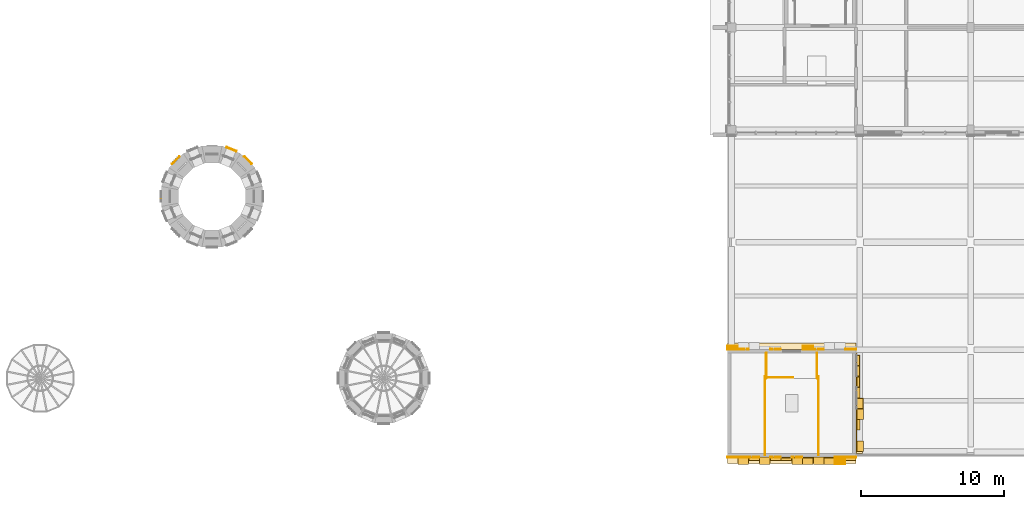
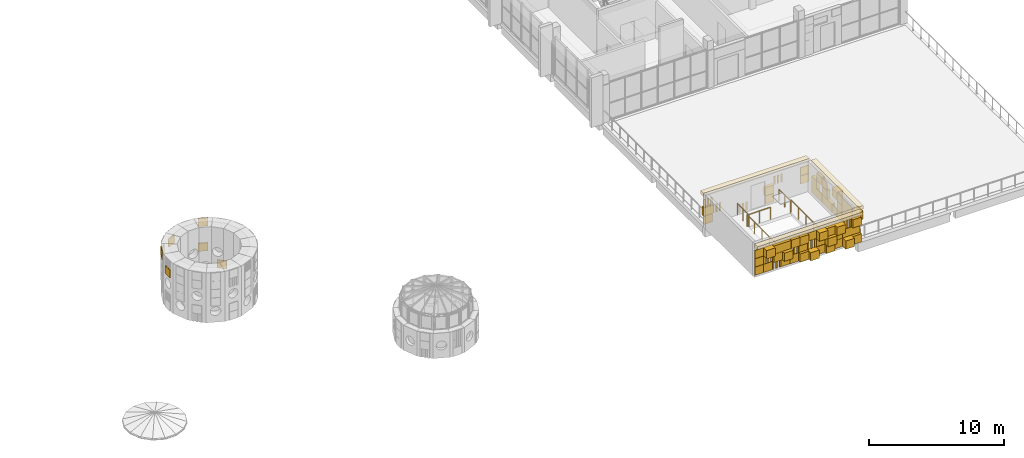
# One storey, part 37 of 42: 17 coverings, 5 railings.
"""IFC4 building model written with IfcOpenShell, lengths in metres."""

from ifc_helpers import new_model, si_unit, direction, frame, origin, origin_2d, place, context, subcontext, project, spatial, rectangle, circle, extrude, material, layer, layer_set, type_object, element, save


model = new_model("IFC4")

# Units and contexts
model_context = context("Model", 3, precision=1e-05, world=origin(), true_north=direction((0.0, 1.0)))
body_context = subcontext(model_context, "Body", "Model", "MODEL_VIEW")
ifc_project = project(units=[si_unit("LENGTHUNIT", "METRE"), si_unit("AREAUNIT", "SQUARE_METRE"), si_unit("VOLUMEUNIT", "CUBIC_METRE"), si_unit("PLANEANGLEUNIT", "RADIAN"), si_unit("MASSUNIT", "GRAM", prefix="KILO")], contexts=[model_context])

# Site, building, storey
site_placement = place(None, origin())
site = spatial("IfcSite", under=ifc_project, at=site_placement, CompositionType="ELEMENT")
building_placement = place(site_placement, origin())
building = spatial("IfcBuilding", under=site, at=building_placement, Name="Sun Court Science Centre", CompositionType="ELEMENT")
storey_placement = place(building_placement, frame((0.0, 0.0, 20.25)))
storey = spatial("IfcBuildingStorey", under=building, at=storey_placement, Name="L04", CompositionType="ELEMENT", Elevation=20.25)

# Railings
ifc_material_1 = material(Name="Steel S275", Category="steel")
railing_type = type_object("IfcRailingType", Name="Guard 1100 steel balustrade", PredefinedType="GUARDRAIL", material=ifc_material_1)
railing_placement = place(storey_placement, frame((80.677001953125, 11.552001953125, 0.0)))
element("IfcRailing", 1, at=railing_placement, inside=storey, type_object=railing_type, Name="L04 SL1 top well guard 1", PredefinedType="GUARDRAIL", context=body_context, shape_type="SweptSolid", body=[
    extrude(circle(Radius=0.02392578125, at=origin_2d()), frame((0.0, 0.0, 1.076171875), z_axis=(1.0, 0.0, 0.0), x_axis=(0.0, 1.0, 0.0)), (0.0, 0.0, 1.0), 1.89794921875),
    extrude(circle(Radius=0.02099609375, at=origin_2d()), origin(), (0.0, 0.0, 1.0), 1.052001953125),
    extrude(circle(Radius=0.02099609375, at=origin_2d()), frame((0.948974609375, 0.0, 0.0)), (0.0, 0.0, 1.0), 1.052001953125),
    extrude(circle(Radius=0.02099609375, at=origin_2d()), frame((1.89794921875, 0.0, 0.0)), (0.0, 0.0, 1.0), 1.052001953125),
])
for number, where, name in (
    (2, (80.626953125, 11.60205078125, 0.0), "L04 SL1 top well guard 2"),
    (3, (84.373046875, 11.60205078125, 0.0), "L04 SL1 top well guard 3"),
):
    element("IfcRailing", number, at=place(storey_placement, frame(where)), inside=storey, type_object=railing_type, Name=name, PredefinedType="GUARDRAIL", context=body_context, shape_type="SweptSolid", body=[
        extrude(circle(Radius=0.02392578125, at=origin_2d()), frame((0.0, 0.0, 1.076171875), z_axis=(0.0, -1.0, 0.0), x_axis=(1.0, 0.0, 0.0)), (0.0, 0.0, 1.0), 5.4521484375),
        extrude(circle(Radius=0.02099609375, at=origin_2d()), origin(), (0.0, 0.0, 1.0), 1.052001953125),
        extrude(circle(Radius=0.02099609375, at=origin_2d()), frame((0.0, -1.09033203125, 0.0)), (0.0, 0.0, 1.0), 1.052001953125),
        extrude(circle(Radius=0.02099609375, at=origin_2d()), frame((0.0, -2.180908203125, 0.0)), (0.0, 0.0, 1.0), 1.052001953125),
        extrude(circle(Radius=0.02099609375, at=origin_2d()), frame((0.0, -3.271240234375, 0.0)), (0.0, 0.0, 1.0), 1.052001953125),
        extrude(circle(Radius=0.02099609375, at=origin_2d()), frame((0.0, -4.36181640625, 0.0)), (0.0, 0.0, 1.0), 1.052001953125),
        extrude(circle(Radius=0.02099609375, at=origin_2d()), frame((0.0, -5.4521484375, 0.0)), (0.0, 0.0, 1.0), 1.052001953125),
    ])
for number, where, name in (
    (4, (80.72705078125, 13.25, 0.0), "L04 SL1 top well guard 4"),
    (5, (84.27294921875, 13.25, 0.0), "L04 SL1 top well guard 5"),
):
    element("IfcRailing", number, at=place(storey_placement, frame(where)), inside=storey, type_object=railing_type, Name=name, PredefinedType="GUARDRAIL", context=body_context, shape_type="SweptSolid", body=[
        extrude(circle(Radius=0.02392578125, at=origin_2d()), frame((0.0, 0.0, 1.076171875), z_axis=(0.0, -1.0, 0.0), x_axis=(1.0, 0.0, 0.0)), (0.0, 0.0, 1.0), 1.748046875),
        extrude(circle(Radius=0.02099609375, at=origin_2d()), origin(), (0.0, 0.0, 1.0), 1.052001953125),
        extrude(circle(Radius=0.02099609375, at=origin_2d()), frame((0.0, -0.8740234375, 0.0)), (0.0, 0.0, 1.0), 1.052001953125),
        extrude(circle(Radius=0.02099609375, at=origin_2d()), frame((0.0, -1.748046875, 0.0)), (0.0, 0.0, 1.0), 1.052001953125),
    ])

# Coverings
ifc_material_2 = material(Name="Terracotta panel", Category="masonry")
ifc_layer_1 = layer(ifc_material_2, 0.449951171875)
ifc_layer_set_1 = layer_set([ifc_layer_1], Name="Terracotta panel")
covering_type_1 = type_object("IfcCoveringType", Name="Terracotta cornice 450", PredefinedType="CLADDING", material=ifc_layer_set_1)
covering_1_placement = place(storey_placement, frame((0.0, 0.0, -20.25)))
element("IfcCovering", 6, at=covering_1_placement, inside=storey, type_object=covering_type_1, Name="Terracotta cornice east face of core L04", PredefinedType="CLADDING", context=body_context, shape_type="SweptSolid", body=[
    extrude(rectangle(XDim=7.0, YDim=0.449951171875, at=origin_2d()), frame((87.22509765625, 9.75, 22.7001953125), z_axis=(0.0, 0.0, 1.0), x_axis=(0.0, -1.0, 0.0)), (0.0, 0.0, 1.0), 0.300048828125),
])
covering_2_placement = place(storey_placement, frame((0.0, 0.0, -20.25)))
element("IfcCovering", 7, at=covering_2_placement, inside=storey, type_object=covering_type_1, Name="Terracotta cornice north face of core L04", PredefinedType="CLADDING", context=body_context, shape_type="SweptSolid", body=[
    extrude(rectangle(XDim=9.0, YDim=0.449951171875, at=origin_2d()), frame((82.5, 13.72509765625, 22.7001953125), z_axis=(0.0, 0.0, 1.0), x_axis=(1.0, 0.0, 0.0)), (0.0, 0.0, 1.0), 0.300048828125),
])
covering_3_placement = place(storey_placement, frame((0.0, 0.0, -20.25)))
element("IfcCovering", 8, at=covering_3_placement, inside=storey, type_object=covering_type_1, Name="Terracotta cornice south face of core L04", PredefinedType="CLADDING", context=body_context, shape_type="SweptSolid", body=[
    extrude(rectangle(XDim=9.0, YDim=0.449951171875, at=origin_2d()), frame((82.5, 5.77490234375, 22.7001953125), z_axis=(0.0, 0.0, 1.0), x_axis=(-1.0, 0.0, 0.0)), (0.0, 0.0, 1.0), 0.300048828125),
])
ifc_material_3 = material(Name="Terracotta jali", Category="masonry")
ifc_layer_2 = layer(ifc_material_3, 0.06005859375)
ifc_layer_set_2 = layer_set([ifc_layer_2], Name="Terracotta jali")
covering_type_2 = type_object("IfcCoveringType", Name="Terracotta open jali panel", PredefinedType="CLADDING", material=ifc_layer_set_2)
covering_4_placement = place(storey_placement, frame((0.0, 0.0, -20.25)))
element("IfcCovering", 9, at=covering_4_placement, inside=storey, type_object=covering_type_2, Name="Open jali pixel cladding north face of core L04", PredefinedType="CLADDING", context=body_context, shape_type="SweptSolid", body=[
    extrude(rectangle(XDim=0.139892578125, YDim=0.06005859375, at=origin_2d()), frame((81.074951171875, 13.530029296875, 20.18017578125), z_axis=(0.0, 0.0, 1.0), x_axis=(1.0, 0.0, 0.0)), (0.0, 0.0, 1.0), 0.739990234375),
    extrude(rectangle(XDim=0.139892578125, YDim=0.06005859375, at=origin_2d()), frame((81.375, 13.530029296875, 20.18017578125), z_axis=(0.0, 0.0, 1.0), x_axis=(1.0, 0.0, 0.0)), (0.0, 0.0, 1.0), 0.739990234375),
    extrude(rectangle(XDim=0.139892578125, YDim=0.06005859375, at=origin_2d()), frame((81.675048828125, 13.530029296875, 20.18017578125), z_axis=(0.0, 0.0, 1.0), x_axis=(1.0, 0.0, 0.0)), (0.0, 0.0, 1.0), 0.739990234375),
    extrude(rectangle(XDim=0.139892578125, YDim=0.06005859375, at=origin_2d()), frame((78.824951171875, 13.530029296875, 20.93017578125), z_axis=(0.0, 0.0, 1.0), x_axis=(1.0, 0.0, 0.0)), (0.0, 0.0, 1.0), 0.739990234375),
    extrude(rectangle(XDim=0.139892578125, YDim=0.06005859375, at=origin_2d()), frame((79.125, 13.530029296875, 20.93017578125), z_axis=(0.0, 0.0, 1.0), x_axis=(1.0, 0.0, 0.0)), (0.0, 0.0, 1.0), 0.739990234375),
    extrude(rectangle(XDim=0.139892578125, YDim=0.06005859375, at=origin_2d()), frame((79.425048828125, 13.530029296875, 20.93017578125), z_axis=(0.0, 0.0, 1.0), x_axis=(1.0, 0.0, 0.0)), (0.0, 0.0, 1.0), 0.739990234375),
    extrude(rectangle(XDim=0.139892578125, YDim=0.06005859375, at=origin_2d()), frame((78.074951171875, 13.530029296875, 21.68017578125), z_axis=(0.0, 0.0, 1.0), x_axis=(1.0, 0.0, 0.0)), (0.0, 0.0, 1.0), 0.739990234375),
    extrude(rectangle(XDim=0.139892578125, YDim=0.06005859375, at=origin_2d()), frame((78.375, 13.530029296875, 21.68017578125), z_axis=(0.0, 0.0, 1.0), x_axis=(1.0, 0.0, 0.0)), (0.0, 0.0, 1.0), 0.739990234375),
    extrude(rectangle(XDim=0.139892578125, YDim=0.06005859375, at=origin_2d()), frame((78.675048828125, 13.530029296875, 21.68017578125), z_axis=(0.0, 0.0, 1.0), x_axis=(1.0, 0.0, 0.0)), (0.0, 0.0, 1.0), 0.739990234375),
    extrude(rectangle(XDim=0.139892578125, YDim=0.06005859375, at=origin_2d()), frame((84.074951171875, 13.530029296875, 21.68017578125), z_axis=(0.0, 0.0, 1.0), x_axis=(1.0, 0.0, 0.0)), (0.0, 0.0, 1.0), 0.739990234375),
    extrude(rectangle(XDim=0.139892578125, YDim=0.06005859375, at=origin_2d()), frame((84.375, 13.530029296875, 21.68017578125), z_axis=(0.0, 0.0, 1.0), x_axis=(1.0, 0.0, 0.0)), (0.0, 0.0, 1.0), 0.739990234375),
    extrude(rectangle(XDim=0.139892578125, YDim=0.06005859375, at=origin_2d()), frame((84.675048828125, 13.530029296875, 21.68017578125), z_axis=(0.0, 0.0, 1.0), x_axis=(1.0, 0.0, 0.0)), (0.0, 0.0, 1.0), 0.739990234375),
    extrude(rectangle(XDim=0.739990234375, YDim=0.260009765625, at=origin_2d()), frame((78.375, 13.6298828125, 20.93017578125), z_axis=(0.0, 0.0, 1.0), x_axis=(1.0, 0.0, 0.0)), (0.0, 0.0, 1.0), 0.739990234375),
    extrude(rectangle(XDim=0.739990234375, YDim=0.06005859375, at=origin_2d()), frame((78.375, 13.530029296875, 20.18017578125), z_axis=(0.0, 0.0, 1.0), x_axis=(1.0, 0.0, 0.0)), (0.0, 0.0, 1.0), 0.739990234375),
])
covering_5_placement = place(storey_placement, frame((0.0, 0.0, -20.25)))
element("IfcCovering", 10, at=covering_5_placement, inside=storey, type_object=covering_type_2, Name="Open jali pixel cladding south face of core L04", PredefinedType="CLADDING", context=body_context, shape_type="SweptSolid", body=[
    extrude(rectangle(XDim=0.139892578125, YDim=0.06005859375, at=origin_2d()), frame((80.175048828125, 5.969970703125, 20.18017578125), z_axis=(0.0, 0.0, 1.0), x_axis=(-1.0, 0.0, 0.0)), (0.0, 0.0, 1.0), 0.739990234375),
    extrude(rectangle(XDim=0.139892578125, YDim=0.06005859375, at=origin_2d()), frame((79.875, 5.969970703125, 20.18017578125), z_axis=(0.0, 0.0, 1.0), x_axis=(-1.0, 0.0, 0.0)), (0.0, 0.0, 1.0), 0.739990234375),
    extrude(rectangle(XDim=0.139892578125, YDim=0.06005859375, at=origin_2d()), frame((79.574951171875, 5.969970703125, 20.18017578125), z_axis=(0.0, 0.0, 1.0), x_axis=(-1.0, 0.0, 0.0)), (0.0, 0.0, 1.0), 0.739990234375),
    extrude(rectangle(XDim=0.139892578125, YDim=0.06005859375, at=origin_2d()), frame((83.175048828125, 5.969970703125, 20.93017578125), z_axis=(0.0, 0.0, 1.0), x_axis=(-1.0, 0.0, 0.0)), (0.0, 0.0, 1.0), 0.739990234375),
    extrude(rectangle(XDim=0.139892578125, YDim=0.06005859375, at=origin_2d()), frame((82.875, 5.969970703125, 20.93017578125), z_axis=(0.0, 0.0, 1.0), x_axis=(-1.0, 0.0, 0.0)), (0.0, 0.0, 1.0), 0.739990234375),
    extrude(rectangle(XDim=0.139892578125, YDim=0.06005859375, at=origin_2d()), frame((82.574951171875, 5.969970703125, 20.93017578125), z_axis=(0.0, 0.0, 1.0), x_axis=(-1.0, 0.0, 0.0)), (0.0, 0.0, 1.0), 0.739990234375),
    extrude(rectangle(XDim=0.139892578125, YDim=0.06005859375, at=origin_2d()), frame((81.675048828125, 5.969970703125, 20.93017578125), z_axis=(0.0, 0.0, 1.0), x_axis=(-1.0, 0.0, 0.0)), (0.0, 0.0, 1.0), 0.739990234375),
    extrude(rectangle(XDim=0.139892578125, YDim=0.06005859375, at=origin_2d()), frame((81.375, 5.969970703125, 20.93017578125), z_axis=(0.0, 0.0, 1.0), x_axis=(-1.0, 0.0, 0.0)), (0.0, 0.0, 1.0), 0.739990234375),
    extrude(rectangle(XDim=0.139892578125, YDim=0.06005859375, at=origin_2d()), frame((81.074951171875, 5.969970703125, 20.93017578125), z_axis=(0.0, 0.0, 1.0), x_axis=(-1.0, 0.0, 0.0)), (0.0, 0.0, 1.0), 0.739990234375),
    extrude(rectangle(XDim=0.139892578125, YDim=0.06005859375, at=origin_2d()), frame((79.425048828125, 5.969970703125, 20.93017578125), z_axis=(0.0, 0.0, 1.0), x_axis=(-1.0, 0.0, 0.0)), (0.0, 0.0, 1.0), 0.739990234375),
    extrude(rectangle(XDim=0.139892578125, YDim=0.06005859375, at=origin_2d()), frame((79.125, 5.969970703125, 20.93017578125), z_axis=(0.0, 0.0, 1.0), x_axis=(-1.0, 0.0, 0.0)), (0.0, 0.0, 1.0), 0.739990234375),
    extrude(rectangle(XDim=0.139892578125, YDim=0.06005859375, at=origin_2d()), frame((78.824951171875, 5.969970703125, 20.93017578125), z_axis=(0.0, 0.0, 1.0), x_axis=(-1.0, 0.0, 0.0)), (0.0, 0.0, 1.0), 0.739990234375),
    extrude(rectangle(XDim=0.139892578125, YDim=0.06005859375, at=origin_2d()), frame((86.175048828125, 5.969970703125, 21.68017578125), z_axis=(0.0, 0.0, 1.0), x_axis=(-1.0, 0.0, 0.0)), (0.0, 0.0, 1.0), 0.739990234375),
    extrude(rectangle(XDim=0.139892578125, YDim=0.06005859375, at=origin_2d()), frame((85.875, 5.969970703125, 21.68017578125), z_axis=(0.0, 0.0, 1.0), x_axis=(-1.0, 0.0, 0.0)), (0.0, 0.0, 1.0), 0.739990234375),
    extrude(rectangle(XDim=0.139892578125, YDim=0.06005859375, at=origin_2d()), frame((85.574951171875, 5.969970703125, 21.68017578125), z_axis=(0.0, 0.0, 1.0), x_axis=(-1.0, 0.0, 0.0)), (0.0, 0.0, 1.0), 0.739990234375),
    extrude(rectangle(XDim=0.739990234375, YDim=0.510009765625, at=origin_2d()), frame((85.875, 5.7451171875, 20.18017578125), z_axis=(0.0, 0.0, 1.0), x_axis=(-1.0, 0.0, 0.0)), (0.0, 0.0, 1.0), 0.739990234375),
])
ifc_material_4 = material(Name="Terracotta shade 1", Category="masonry")
ifc_layer_3 = layer(ifc_material_4, 0.06005859375)
ifc_layer_set_3 = layer_set([ifc_layer_3], Name="Terracotta shade 1")
covering_type_3 = type_object("IfcCoveringType", Name="Terracotta pixel panel shade 1", PredefinedType="CLADDING", material=ifc_layer_set_3)
covering_6_placement = place(storey_placement, frame((0.0, 0.0, -20.25)))
element("IfcCovering", 11, at=covering_6_placement, inside=storey, type_object=covering_type_3, Name="Terracotta pixel cladding shade 1 east face of core L04", PredefinedType="CLADDING", context=body_context, shape_type="SweptSolid", body=[
    extrude(rectangle(XDim=0.739990234375, YDim=0.06005859375, at=origin_2d()), frame((87.030029296875, 9.75, 20.18017578125), z_axis=(0.0, 0.0, 1.0), x_axis=(0.0, -1.0, 0.0)), (0.0, 0.0, 1.0), 0.739990234375),
    extrude(rectangle(XDim=0.739990234375, YDim=0.260009765625, at=origin_2d()), frame((87.1298828125, 8.25, 20.18017578125), z_axis=(0.0, 0.0, 1.0), x_axis=(0.0, -1.0, 0.0)), (0.0, 0.0, 1.0), 0.739990234375),
    extrude(rectangle(XDim=0.739990234375, YDim=0.06005859375, at=origin_2d()), frame((87.030029296875, 8.25, 20.93017578125), z_axis=(0.0, 0.0, 1.0), x_axis=(0.0, -1.0, 0.0)), (0.0, 0.0, 1.0), 0.739990234375),
    extrude(rectangle(XDim=0.739990234375, YDim=0.06005859375, at=origin_2d()), frame((87.030029296875, 7.5, 20.93017578125), z_axis=(0.0, 0.0, 1.0), x_axis=(0.0, -1.0, 0.0)), (0.0, 0.0, 1.0), 0.739990234375),
    extrude(rectangle(XDim=0.739990234375, YDim=0.06005859375, at=origin_2d()), frame((87.030029296875, 8.25, 21.68017578125), z_axis=(0.0, 0.0, 1.0), x_axis=(0.0, -1.0, 0.0)), (0.0, 0.0, 1.0), 0.739990234375),
    extrude(rectangle(XDim=0.739990234375, YDim=0.06005859375, at=origin_2d()), frame((87.030029296875, 7.5, 21.68017578125), z_axis=(0.0, 0.0, 1.0), x_axis=(0.0, -1.0, 0.0)), (0.0, 0.0, 1.0), 0.739990234375),
    extrude(rectangle(XDim=0.739990234375, YDim=0.510009765625, at=origin_2d()), frame((87.2548828125, 6.75, 21.68017578125), z_axis=(0.0, 0.0, 1.0), x_axis=(0.0, -1.0, 0.0)), (0.0, 0.0, 1.0), 0.739990234375),
    extrude(rectangle(XDim=0.739990234375, YDim=0.260009765625, at=origin_2d()), frame((87.1298828125, 6.75, 20.18017578125), z_axis=(0.0, 0.0, 1.0), x_axis=(0.0, -1.0, 0.0)), (0.0, 0.0, 1.0), 0.739990234375),
])
covering_7_placement = place(storey_placement, frame((0.0, 0.0, -20.25)))
element("IfcCovering", 12, at=covering_7_placement, inside=storey, type_object=covering_type_3, Name="Terracotta pixel cladding shade 1 south face of core L04", PredefinedType="CLADDING", context=body_context, shape_type="SweptSolid", body=[
    extrude(rectangle(XDim=0.739990234375, YDim=0.260009765625, at=origin_2d()), frame((82.125, 5.8701171875, 20.18017578125), z_axis=(0.0, 0.0, 1.0), x_axis=(-1.0, 0.0, 0.0)), (0.0, 0.0, 1.0), 0.739990234375),
    extrude(rectangle(XDim=0.739990234375, YDim=0.06005859375, at=origin_2d()), frame((81.375, 5.969970703125, 20.18017578125), z_axis=(0.0, 0.0, 1.0), x_axis=(-1.0, 0.0, 0.0)), (0.0, 0.0, 1.0), 0.739990234375),
    extrude(rectangle(XDim=0.739990234375, YDim=0.06005859375, at=origin_2d()), frame((85.125, 5.969970703125, 20.93017578125), z_axis=(0.0, 0.0, 1.0), x_axis=(-1.0, 0.0, 0.0)), (0.0, 0.0, 1.0), 0.739990234375),
    extrude(rectangle(XDim=0.739990234375, YDim=0.06005859375, at=origin_2d()), frame((83.625, 5.969970703125, 20.93017578125), z_axis=(0.0, 0.0, 1.0), x_axis=(-1.0, 0.0, 0.0)), (0.0, 0.0, 1.0), 0.739990234375),
    extrude(rectangle(XDim=0.739990234375, YDim=0.510009765625, at=origin_2d()), frame((83.625, 5.7451171875, 21.68017578125), z_axis=(0.0, 0.0, 1.0), x_axis=(-1.0, 0.0, 0.0)), (0.0, 0.0, 1.0), 0.739990234375),
    extrude(rectangle(XDim=0.739990234375, YDim=0.260009765625, at=origin_2d()), frame((82.125, 5.8701171875, 21.68017578125), z_axis=(0.0, 0.0, 1.0), x_axis=(-1.0, 0.0, 0.0)), (0.0, 0.0, 1.0), 0.739990234375),
    extrude(rectangle(XDim=0.739990234375, YDim=0.510009765625, at=origin_2d()), frame((79.125, 5.7451171875, 21.68017578125), z_axis=(0.0, 0.0, 1.0), x_axis=(-1.0, 0.0, 0.0)), (0.0, 0.0, 1.0), 0.739990234375),
    extrude(rectangle(XDim=0.739990234375, YDim=0.06005859375, at=origin_2d()), frame((78.375, 5.969970703125, 21.68017578125), z_axis=(0.0, 0.0, 1.0), x_axis=(-1.0, 0.0, 0.0)), (0.0, 0.0, 1.0), 0.739990234375),
    extrude(rectangle(XDim=0.739990234375, YDim=0.06005859375, at=origin_2d()), frame((78.375, 5.969970703125, 20.18017578125), z_axis=(0.0, 0.0, 1.0), x_axis=(-1.0, 0.0, 0.0)), (0.0, 0.0, 1.0), 0.739990234375),
    extrude(rectangle(XDim=0.739990234375, YDim=0.06005859375, at=origin_2d()), frame((85.125, 5.969970703125, 20.18017578125), z_axis=(0.0, 0.0, 1.0), x_axis=(-1.0, 0.0, 0.0)), (0.0, 0.0, 1.0), 0.739990234375),
])
ifc_material_5 = material(Name="Terracotta shade 2", Category="masonry")
ifc_layer_4 = layer(ifc_material_5, 0.06005859375)
ifc_layer_set_4 = layer_set([ifc_layer_4], Name="Terracotta shade 2")
covering_type_4 = type_object("IfcCoveringType", Name="Terracotta pixel panel shade 2", PredefinedType="CLADDING", material=ifc_layer_set_4)
covering_8_placement = place(storey_placement, frame((0.0, 0.0, -20.25)))
element("IfcCovering", 13, at=covering_8_placement, inside=storey, type_object=covering_type_4, Name="Terracotta pixel cladding shade 2 east face of core L04", PredefinedType="CLADDING", context=body_context, shape_type="SweptSolid", body=[
    extrude(rectangle(XDim=0.739990234375, YDim=0.260009765625, at=origin_2d()), frame((87.1298828125, 12.75, 20.18017578125), z_axis=(0.0, 0.0, 1.0), x_axis=(0.0, -1.0, 0.0)), (0.0, 0.0, 1.0), 0.739990234375),
    extrude(rectangle(XDim=0.739990234375, YDim=0.06005859375, at=origin_2d()), frame((87.030029296875, 12.0, 20.18017578125), z_axis=(0.0, 0.0, 1.0), x_axis=(0.0, -1.0, 0.0)), (0.0, 0.0, 1.0), 0.739990234375),
    extrude(rectangle(XDim=0.739990234375, YDim=0.06005859375, at=origin_2d()), frame((87.030029296875, 7.5, 20.18017578125), z_axis=(0.0, 0.0, 1.0), x_axis=(0.0, -1.0, 0.0)), (0.0, 0.0, 1.0), 0.739990234375),
    extrude(rectangle(XDim=0.739990234375, YDim=0.260009765625, at=origin_2d()), frame((87.1298828125, 12.75, 20.93017578125), z_axis=(0.0, 0.0, 1.0), x_axis=(0.0, -1.0, 0.0)), (0.0, 0.0, 1.0), 0.739990234375),
    extrude(rectangle(XDim=0.739990234375, YDim=0.260009765625, at=origin_2d()), frame((87.1298828125, 11.25, 20.93017578125), z_axis=(0.0, 0.0, 1.0), x_axis=(0.0, -1.0, 0.0)), (0.0, 0.0, 1.0), 0.739990234375),
    extrude(rectangle(XDim=0.739990234375, YDim=0.06005859375, at=origin_2d()), frame((87.030029296875, 9.0, 20.93017578125), z_axis=(0.0, 0.0, 1.0), x_axis=(0.0, -1.0, 0.0)), (0.0, 0.0, 1.0), 0.739990234375),
])
covering_9_placement = place(storey_placement, frame((0.0, 0.0, -20.25)))
element("IfcCovering", 14, at=covering_9_placement, inside=storey, type_object=covering_type_4, Name="Terracotta pixel cladding shade 2 south face of core L04", PredefinedType="CLADDING", context=body_context, shape_type="SweptSolid", body=[
    extrude(rectangle(XDim=0.739990234375, YDim=0.510009765625, at=origin_2d()), frame((82.875, 5.7451171875, 20.18017578125), z_axis=(0.0, 0.0, 1.0), x_axis=(-1.0, 0.0, 0.0)), (0.0, 0.0, 1.0), 0.739990234375),
    extrude(rectangle(XDim=0.739990234375, YDim=0.06005859375, at=origin_2d()), frame((80.625, 5.969970703125, 20.18017578125), z_axis=(0.0, 0.0, 1.0), x_axis=(-1.0, 0.0, 0.0)), (0.0, 0.0, 1.0), 0.739990234375),
    extrude(rectangle(XDim=0.739990234375, YDim=0.510009765625, at=origin_2d()), frame((80.625, 5.7451171875, 20.93017578125), z_axis=(0.0, 0.0, 1.0), x_axis=(-1.0, 0.0, 0.0)), (0.0, 0.0, 1.0), 0.739990234375),
    extrude(rectangle(XDim=0.739990234375, YDim=0.06005859375, at=origin_2d()), frame((82.875, 5.969970703125, 21.68017578125), z_axis=(0.0, 0.0, 1.0), x_axis=(-1.0, 0.0, 0.0)), (0.0, 0.0, 1.0), 0.739990234375),
    extrude(rectangle(XDim=0.739990234375, YDim=0.260009765625, at=origin_2d()), frame((81.375, 5.8701171875, 21.68017578125), z_axis=(0.0, 0.0, 1.0), x_axis=(-1.0, 0.0, 0.0)), (0.0, 0.0, 1.0), 0.739990234375),
])
ifc_material_6 = material(Name="Terracotta shade 3", Category="masonry")
ifc_layer_5 = layer(ifc_material_6, 0.06005859375)
ifc_layer_set_5 = layer_set([ifc_layer_5], Name="Terracotta shade 3")
covering_type_5 = type_object("IfcCoveringType", Name="Terracotta pixel panel shade 3", PredefinedType="CLADDING", material=ifc_layer_set_5)
covering_10_placement = place(storey_placement, frame((0.0, 0.0, -20.25)))
element("IfcCovering", 15, at=covering_10_placement, inside=storey, type_object=covering_type_5, Name="Terracotta pixel cladding shade 3 cone 4 L04", PredefinedType="CLADDING", context=body_context, shape_type="SweptSolid", body=[
    extrude(rectangle(XDim=0.739990234375, YDim=0.06005859375, at=origin_2d()), frame((44.517822265625, 26.7177734375, 19.955078125), z_axis=(0.0, 0.0, 1.0), x_axis=(0.707106781187, -0.707106781187, 0.0)), (0.0, 0.0, 1.0), 0.739990234375),
    extrude(rectangle(XDim=0.739990234375, YDim=0.06005859375, at=origin_2d()), frame((43.362548828125, 27.48974609375, 21.455078125), z_axis=(0.0, 0.0, 1.0), x_axis=(0.923879532511, -0.382683432365, 0.0)), (0.0, 0.0, 1.0), 0.739990234375),
    extrude(rectangle(XDim=0.739990234375, YDim=0.06005859375, at=origin_2d()), frame((43.362548828125, 27.48974609375, 23.705078125), z_axis=(0.0, 0.0, 1.0), x_axis=(0.923879532511, -0.382683432365, 0.0)), (0.0, 0.0, 1.0), 0.739990234375),
    extrude(rectangle(XDim=0.739990234375, YDim=0.06005859375, at=origin_2d()), frame((40.637451171875, 27.48974609375, 22.955078125), z_axis=(0.0, 0.0, 1.0), x_axis=(0.923879532511, 0.382683432365, 0.0)), (0.0, 0.0, 1.0), 0.739990234375),
    extrude(rectangle(XDim=0.739990234375, YDim=0.06005859375, at=origin_2d()), frame((39.482177734375, 26.7177734375, 22.955078125), z_axis=(0.0, 0.0, 1.0), x_axis=(0.707106781187, 0.707106781187, 0.0)), (0.0, 0.0, 1.0), 0.739990234375),
    extrude(rectangle(XDim=0.739990234375, YDim=0.06005859375, at=origin_2d()), frame((38.710205078125, 25.562744140625, 23.705078125), z_axis=(0.0, 0.0, 1.0), x_axis=(0.382683432365, 0.923879532511, 0.0)), (0.0, 0.0, 1.0), 0.739990234375),
    extrude(rectangle(XDim=0.739990234375, YDim=0.06005859375, at=origin_2d()), frame((38.439208984375, 24.199951171875, 22.955078125), z_axis=(0.0, 0.0, 1.0), x_axis=(0.0, 1.0, 0.0)), (0.0, 0.0, 1.0), 0.739990234375),
])
covering_11_placement = place(storey_placement, frame((0.0, 0.0, -20.25)))
element("IfcCovering", 16, at=covering_11_placement, inside=storey, type_object=covering_type_5, Name="Terracotta pixel cladding shade 3 east face of core L04", PredefinedType="CLADDING", context=body_context, shape_type="SweptSolid", body=[
    extrude(rectangle(XDim=0.739990234375, YDim=0.06005859375, at=origin_2d()), frame((87.030029296875, 11.25, 20.18017578125), z_axis=(0.0, 0.0, 1.0), x_axis=(0.0, -1.0, 0.0)), (0.0, 0.0, 1.0), 0.739990234375),
    extrude(rectangle(XDim=0.739990234375, YDim=0.260009765625, at=origin_2d()), frame((87.1298828125, 10.5, 20.18017578125), z_axis=(0.0, 0.0, 1.0), x_axis=(0.0, -1.0, 0.0)), (0.0, 0.0, 1.0), 0.739990234375),
    extrude(rectangle(XDim=0.739990234375, YDim=0.06005859375, at=origin_2d()), frame((87.030029296875, 11.25, 21.68017578125), z_axis=(0.0, 0.0, 1.0), x_axis=(0.0, -1.0, 0.0)), (0.0, 0.0, 1.0), 0.739990234375),
    extrude(rectangle(XDim=0.739990234375, YDim=0.06005859375, at=origin_2d()), frame((87.030029296875, 9.0, 21.68017578125), z_axis=(0.0, 0.0, 1.0), x_axis=(0.0, -1.0, 0.0)), (0.0, 0.0, 1.0), 0.739990234375),
    extrude(rectangle(XDim=0.739990234375, YDim=0.510009765625, at=origin_2d()), frame((87.2548828125, 9.0, 20.18017578125), z_axis=(0.0, 0.0, 1.0), x_axis=(0.0, -1.0, 0.0)), (0.0, 0.0, 1.0), 0.739990234375),
])
covering_12_placement = place(storey_placement, frame((0.0, 0.0, -20.25)))
element("IfcCovering", 17, at=covering_12_placement, inside=storey, type_object=covering_type_5, Name="Terracotta pixel cladding shade 3 south face of core L04", PredefinedType="CLADDING", context=body_context, shape_type="SweptSolid", body=[
    extrude(rectangle(XDim=0.739990234375, YDim=0.260009765625, at=origin_2d()), frame((86.625, 5.8701171875, 20.18017578125), z_axis=(0.0, 0.0, 1.0), x_axis=(-1.0, 0.0, 0.0)), (0.0, 0.0, 1.0), 0.739990234375),
    extrude(rectangle(XDim=0.739990234375, YDim=0.260009765625, at=origin_2d()), frame((84.375, 5.8701171875, 20.18017578125), z_axis=(0.0, 0.0, 1.0), x_axis=(-1.0, 0.0, 0.0)), (0.0, 0.0, 1.0), 0.739990234375),
    extrude(rectangle(XDim=0.739990234375, YDim=0.510009765625, at=origin_2d()), frame((85.125, 5.7451171875, 21.68017578125), z_axis=(0.0, 0.0, 1.0), x_axis=(-1.0, 0.0, 0.0)), (0.0, 0.0, 1.0), 0.739990234375),
    extrude(rectangle(XDim=0.739990234375, YDim=0.260009765625, at=origin_2d()), frame((84.375, 5.8701171875, 21.68017578125), z_axis=(0.0, 0.0, 1.0), x_axis=(-1.0, 0.0, 0.0)), (0.0, 0.0, 1.0), 0.739990234375),
    extrude(rectangle(XDim=0.739990234375, YDim=0.260009765625, at=origin_2d()), frame((80.625, 5.8701171875, 21.68017578125), z_axis=(0.0, 0.0, 1.0), x_axis=(-1.0, 0.0, 0.0)), (0.0, 0.0, 1.0), 0.739990234375),
    extrude(rectangle(XDim=0.739990234375, YDim=0.260009765625, at=origin_2d()), frame((79.875, 5.8701171875, 21.68017578125), z_axis=(0.0, 0.0, 1.0), x_axis=(-1.0, 0.0, 0.0)), (0.0, 0.0, 1.0), 0.739990234375),
    extrude(rectangle(XDim=0.739990234375, YDim=0.260009765625, at=origin_2d()), frame((79.875, 5.8701171875, 20.93017578125), z_axis=(0.0, 0.0, 1.0), x_axis=(-1.0, 0.0, 0.0)), (0.0, 0.0, 1.0), 0.739990234375),
    extrude(rectangle(XDim=0.739990234375, YDim=0.260009765625, at=origin_2d()), frame((86.625, 5.8701171875, 21.68017578125), z_axis=(0.0, 0.0, 1.0), x_axis=(-1.0, 0.0, 0.0)), (0.0, 0.0, 1.0), 0.739990234375),
])
ifc_material_7 = material(Name="Terracotta shade 4", Category="masonry")
ifc_layer_6 = layer(ifc_material_7, 0.06005859375)
ifc_layer_set_6 = layer_set([ifc_layer_6], Name="Terracotta shade 4")
covering_type_6 = type_object("IfcCoveringType", Name="Terracotta pixel panel shade 4", PredefinedType="CLADDING", material=ifc_layer_set_6)
covering_13_placement = place(storey_placement, frame((0.0, 0.0, -20.25)))
element("IfcCovering", 18, at=covering_13_placement, inside=storey, type_object=covering_type_6, Name="Terracotta pixel cladding shade 4 east face of core L04", PredefinedType="CLADDING", context=body_context, shape_type="SweptSolid", body=[
    extrude(rectangle(XDim=0.739990234375, YDim=0.06005859375, at=origin_2d()), frame((87.030029296875, 6.75, 20.93017578125), z_axis=(0.0, 0.0, 1.0), x_axis=(0.0, -1.0, 0.0)), (0.0, 0.0, 1.0), 0.739990234375),
    extrude(rectangle(XDim=0.739990234375, YDim=0.260009765625, at=origin_2d()), frame((87.1298828125, 12.0, 21.68017578125), z_axis=(0.0, 0.0, 1.0), x_axis=(0.0, -1.0, 0.0)), (0.0, 0.0, 1.0), 0.739990234375),
    extrude(rectangle(XDim=0.739990234375, YDim=0.510009765625, at=origin_2d()), frame((87.2548828125, 9.75, 21.68017578125), z_axis=(0.0, 0.0, 1.0), x_axis=(0.0, -1.0, 0.0)), (0.0, 0.0, 1.0), 0.739990234375),
])
covering_14_placement = place(storey_placement, frame((0.0, 0.0, -20.25)))
element("IfcCovering", 19, at=covering_14_placement, inside=storey, type_object=covering_type_6, Name="Terracotta pixel cladding shade 4 north face of core L04", PredefinedType="CLADDING", context=body_context, shape_type="SweptSolid", body=[
    extrude(rectangle(XDim=0.739990234375, YDim=0.260009765625, at=origin_2d()), frame((83.625, 13.6298828125, 20.93017578125), z_axis=(0.0, 0.0, 1.0), x_axis=(1.0, 0.0, 0.0)), (0.0, 0.0, 1.0), 0.739990234375),
    extrude(rectangle(XDim=0.739990234375, YDim=0.06005859375, at=origin_2d()), frame((86.625, 13.530029296875, 21.68017578125), z_axis=(0.0, 0.0, 1.0), x_axis=(1.0, 0.0, 0.0)), (0.0, 0.0, 1.0), 0.739990234375),
])
covering_15_placement = place(storey_placement, frame((0.0, 0.0, -20.25)))
element("IfcCovering", 20, at=covering_15_placement, inside=storey, type_object=covering_type_6, Name="Terracotta pixel cladding shade 4 south face of core L04", PredefinedType="CLADDING", context=body_context, shape_type="SweptSolid", body=[
    extrude(rectangle(XDim=0.739990234375, YDim=0.06005859375, at=origin_2d()), frame((83.625, 5.969970703125, 20.18017578125), z_axis=(0.0, 0.0, 1.0), x_axis=(-1.0, 0.0, 0.0)), (0.0, 0.0, 1.0), 0.739990234375),
    extrude(rectangle(XDim=0.739990234375, YDim=0.510009765625, at=origin_2d()), frame((84.375, 5.7451171875, 20.93017578125), z_axis=(0.0, 0.0, 1.0), x_axis=(-1.0, 0.0, 0.0)), (0.0, 0.0, 1.0), 0.739990234375),
    extrude(rectangle(XDim=0.739990234375, YDim=0.06005859375, at=origin_2d()), frame((82.125, 5.969970703125, 20.93017578125), z_axis=(0.0, 0.0, 1.0), x_axis=(-1.0, 0.0, 0.0)), (0.0, 0.0, 1.0), 0.739990234375),
])
ifc_material_8 = material(Name="Terracotta shade 5", Category="masonry")
ifc_layer_7 = layer(ifc_material_8, 0.06005859375)
ifc_layer_set_7 = layer_set([ifc_layer_7], Name="Terracotta shade 5")
covering_type_7 = type_object("IfcCoveringType", Name="Terracotta pixel panel shade 5", PredefinedType="CLADDING", material=ifc_layer_set_7)
covering_16_placement = place(storey_placement, frame((0.0, 0.0, -20.25)))
element("IfcCovering", 21, at=covering_16_placement, inside=storey, type_object=covering_type_7, Name="Terracotta pixel cladding shade 5 north face of core L04", PredefinedType="CLADDING", context=body_context, shape_type="SweptSolid", body=[
    extrude(rectangle(XDim=0.739990234375, YDim=0.06005859375, at=origin_2d()), frame((83.625, 13.530029296875, 20.18017578125), z_axis=(0.0, 0.0, 1.0), x_axis=(1.0, 0.0, 0.0)), (0.0, 0.0, 1.0), 0.739990234375),
    extrude(rectangle(XDim=0.739990234375, YDim=0.06005859375, at=origin_2d()), frame((86.625, 13.530029296875, 20.93017578125), z_axis=(0.0, 0.0, 1.0), x_axis=(1.0, 0.0, 0.0)), (0.0, 0.0, 1.0), 0.739990234375),
])
covering_17_placement = place(storey_placement, frame((0.0, 0.0, -20.25)))
element("IfcCovering", 22, at=covering_17_placement, inside=storey, type_object=covering_type_7, Name="Terracotta pixel cladding shade 5 south face of core L04", PredefinedType="CLADDING", context=body_context, shape_type="SweptSolid", body=[
    extrude(rectangle(XDim=0.739990234375, YDim=0.06005859375, at=origin_2d()), frame((79.125, 5.969970703125, 20.18017578125), z_axis=(0.0, 0.0, 1.0), x_axis=(-1.0, 0.0, 0.0)), (0.0, 0.0, 1.0), 0.739990234375),
    extrude(rectangle(XDim=0.739990234375, YDim=0.06005859375, at=origin_2d()), frame((86.625, 5.969970703125, 20.93017578125), z_axis=(0.0, 0.0, 1.0), x_axis=(-1.0, 0.0, 0.0)), (0.0, 0.0, 1.0), 0.739990234375),
    extrude(rectangle(XDim=0.739990234375, YDim=0.06005859375, at=origin_2d()), frame((85.875, 5.969970703125, 20.93017578125), z_axis=(0.0, 0.0, 1.0), x_axis=(-1.0, 0.0, 0.0)), (0.0, 0.0, 1.0), 0.739990234375),
    extrude(rectangle(XDim=0.739990234375, YDim=0.06005859375, at=origin_2d()), frame((78.375, 5.969970703125, 20.93017578125), z_axis=(0.0, 0.0, 1.0), x_axis=(-1.0, 0.0, 0.0)), (0.0, 0.0, 1.0), 0.739990234375),
])

save(model, "model.ifc")
